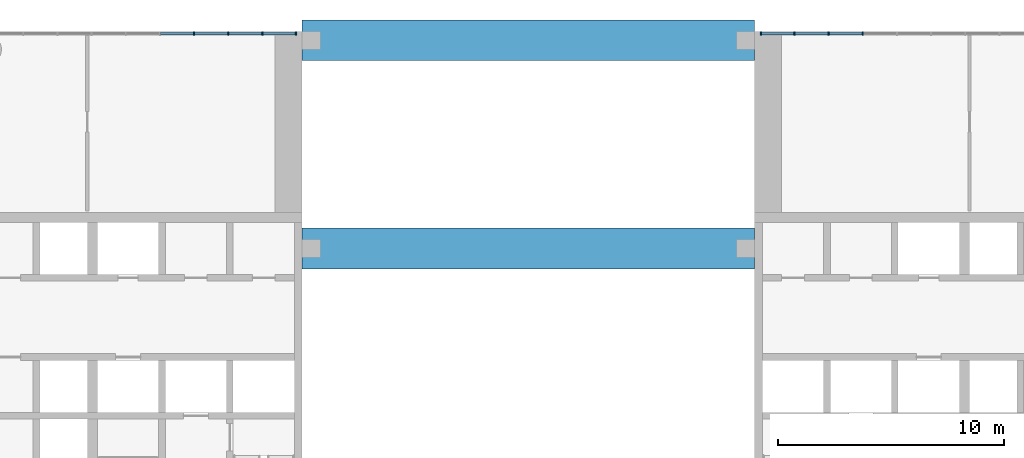
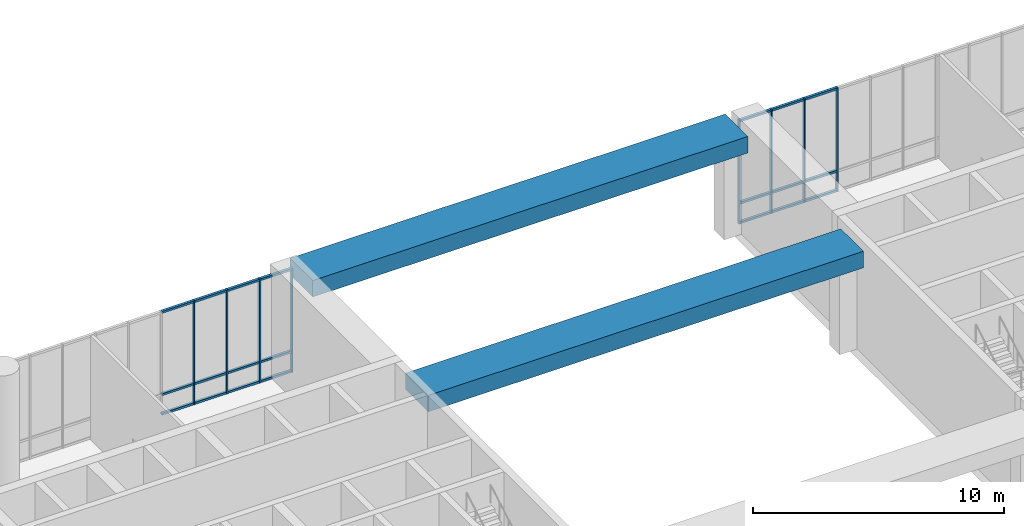
# One storey, part 11 of 30: 29 members, 2 beams, 2 elements without a shape of their own.
"""IFC4 building model written with IfcOpenShell, lengths in metres."""

from ifc_helpers import new_model, si_unit, direction, frame, origin, origin_2d, place, context, subcontext, project, spatial, rectangle, extrude, material, layer, layer_set, material_profile, profile_set, type_object, element, aggregate, save


model = new_model("IFC4")

# Units and contexts
model_context = context("Model", 3, precision=1e-05, world=origin(), true_north=direction((0.0, 1.0)))
body_context = subcontext(model_context, "Body", "Model", "MODEL_VIEW")
ifc_project = project(units=[si_unit("LENGTHUNIT", "METRE"), si_unit("AREAUNIT", "SQUARE_METRE"), si_unit("VOLUMEUNIT", "CUBIC_METRE"), si_unit("PLANEANGLEUNIT", "RADIAN"), si_unit("MASSUNIT", "GRAM", prefix="KILO")], contexts=[model_context])

# Site, building, storey
site_placement = place(None, origin())
site = spatial("IfcSite", under=ifc_project, at=site_placement, CompositionType="ELEMENT")
building_placement = place(site_placement, origin())
building = spatial("IfcBuilding", under=site, at=building_placement, Name="Torana Hotel and Residences", CompositionType="ELEMENT")
storey_placement = place(building_placement, frame((0.0, 0.0, 12.5)))
storey = spatial("IfcBuildingStorey", under=building, at=storey_placement, Name="L02", CompositionType="ELEMENT", Elevation=12.5)

# Beams
ifc_material_1 = material(Name="Concrete C60/75", Category="concrete")
ifc_material_profile_1 = material_profile(ifc_material_1, rectangle(XDim=1.800048828125, YDim=0.800048828125, at=origin_2d()), Name="RC 1800x800")
ifc_profile_set_1 = profile_set([ifc_material_profile_1], Name="Concrete C60/75")
beam_type = type_object("IfcBeamType", Name="ARCH BEAM RC 1800x800 C60/75", PredefinedType="BEAM", material=ifc_profile_set_1)
for number, where, z_axis, x_axis, name in (
    (1, (-10.0, -1.60009765625, 4.64990234375), (1.0, 0.0, 0.0), (0.0, 1.0, 0.0), "Arch beam 4"),
    (2, (-10.0, 7.60009765625, 4.64990234375), (1.0, 0.0, 0.0), (0.0, 1.0, 0.0), "Arch beam 5"),
):
    element("IfcBeam", number, at=place(storey_placement, frame(where, z_axis=z_axis, x_axis=x_axis)), inside=storey, type_object=beam_type, Name=name, PredefinedType="BEAM", context=body_context, shape_type="SweptSolid", body=[
        extrude(rectangle(XDim=1.800048828125, YDim=0.800048828125, at=origin_2d()), origin(), (0.0, 0.0, 1.0), 20.0),
    ])

# Curtain wall, members
ifc_material_2 = material(Name="Dark anodised aluminium", Category="aluminium")
ifc_layer = layer(ifc_material_2, 0.14990234375)
ifc_layer_set = layer_set([ifc_layer], Name="CW5 PODIUM UPPER UNITISED CURTAIN WALL")
curtain_wall_type = type_object("IfcCurtainWallType", Name="CW5 PODIUM UPPER UNITISED CURTAIN WALL", PredefinedType="NOTDEFINED", material=ifc_layer_set)
curtain_wall_1_placement = place(storey_placement, origin())
curtain_wall_1 = element("IfcCurtainWall", 3, at=curtain_wall_1_placement, inside=storey, type_object=curtain_wall_type, Name="Curtain wall CW5 L02 e0.2", PredefinedType="NOTDEFINED")
ifc_material_3 = material(Name="Dark anodised aluminium", Category="aluminium")
ifc_material_profile_2 = material_profile(ifc_material_3, rectangle(XDim=0.14990234375, YDim=0.06005859375, at=origin_2d()), Name="CW5 MULLION 60x150")
ifc_profile_set_2 = profile_set([ifc_material_profile_2], Name="Dark anodised aluminium")
member_type_1 = type_object("IfcMemberType", Name="CW5 MULLION 60x150", PredefinedType="MULLION", material=ifc_profile_set_2)
member_1_placement = place(storey_placement, frame((-10.280029296875, 7.89990234375, 0.0), z_axis=(0.0, 0.0, 1.0), x_axis=(0.0, -1.0, 0.0)))
member_1 = element("IfcMember", 4, at=member_1_placement, type_object=member_type_1, Name="CW5 mullion 1", PredefinedType="MULLION", context=body_context, shape_type="SweptSolid", body=[
    extrude(rectangle(XDim=0.14990234375, YDim=0.06005859375, at=origin_2d()), origin(), (0.0, 0.0, 1.0), 5.050048828125),
])
member_2_placement = place(storey_placement, frame((-11.7607421875, 7.89990234375, 0.0), z_axis=(0.0, 0.0, 1.0), x_axis=(0.0, -1.0, 0.0)))
member_2 = element("IfcMember", 5, at=member_2_placement, type_object=member_type_1, Name="CW5 mullion 2", PredefinedType="MULLION", context=body_context, shape_type="SweptSolid", body=[
    extrude(rectangle(XDim=0.14990234375, YDim=0.06005859375, at=origin_2d()), origin(), (0.0, 0.0, 1.0), 5.050048828125),
])
member_3_placement = place(storey_placement, frame((-13.271484375, 7.89990234375, 0.0), z_axis=(0.0, 0.0, 1.0), x_axis=(0.0, -1.0, 0.0)))
member_3 = element("IfcMember", 6, at=member_3_placement, type_object=member_type_1, Name="CW5 mullion 3", PredefinedType="MULLION", context=body_context, shape_type="SweptSolid", body=[
    extrude(rectangle(XDim=0.14990234375, YDim=0.06005859375, at=origin_2d()), origin(), (0.0, 0.0, 1.0), 5.050048828125),
])
member_4_placement = place(storey_placement, frame((-14.7822265625, 7.89990234375, 0.0), z_axis=(0.0, 0.0, 1.0), x_axis=(0.0, -1.0, 0.0)))
member_4 = element("IfcMember", 7, at=member_4_placement, type_object=member_type_1, Name="CW5 mullion 4", PredefinedType="MULLION", context=body_context, shape_type="SweptSolid", body=[
    extrude(rectangle(XDim=0.14990234375, YDim=0.06005859375, at=origin_2d()), origin(), (0.0, 0.0, 1.0), 5.050048828125),
])

curtain_wall_2_placement = place(storey_placement, origin())
curtain_wall_2 = element("IfcCurtainWall", 8, at=curtain_wall_2_placement, inside=storey, type_object=curtain_wall_type, Name="Curtain wall CW5 L02 e1.10", PredefinedType="NOTDEFINED")
member_5_placement = place(storey_placement, frame((14.7822265625, 7.89990234375, 0.0), z_axis=(0.0, 0.0, 1.0), x_axis=(0.0, -1.0, 0.0)))
member_5 = element("IfcMember", 9, at=member_5_placement, type_object=member_type_1, Name="CW5 mullion 19", PredefinedType="MULLION", context=body_context, shape_type="SweptSolid", body=[
    extrude(rectangle(XDim=0.14990234375, YDim=0.06005859375, at=origin_2d()), origin(), (0.0, 0.0, 1.0), 5.050048828125),
])
member_6_placement = place(storey_placement, frame((13.271484375, 7.89990234375, 0.0), z_axis=(0.0, 0.0, 1.0), x_axis=(0.0, -1.0, 0.0)))
member_6 = element("IfcMember", 10, at=member_6_placement, type_object=member_type_1, Name="CW5 mullion 20", PredefinedType="MULLION", context=body_context, shape_type="SweptSolid", body=[
    extrude(rectangle(XDim=0.14990234375, YDim=0.06005859375, at=origin_2d()), origin(), (0.0, 0.0, 1.0), 5.050048828125),
])
member_7_placement = place(storey_placement, frame((11.7607421875, 7.89990234375, 0.0), z_axis=(0.0, 0.0, 1.0), x_axis=(0.0, -1.0, 0.0)))
member_7 = element("IfcMember", 11, at=member_7_placement, type_object=member_type_1, Name="CW5 mullion 21", PredefinedType="MULLION", context=body_context, shape_type="SweptSolid", body=[
    extrude(rectangle(XDim=0.14990234375, YDim=0.06005859375, at=origin_2d()), origin(), (0.0, 0.0, 1.0), 5.050048828125),
])
member_8_placement = place(storey_placement, frame((10.280029296875, 7.89990234375, 0.0), z_axis=(0.0, 0.0, 1.0), x_axis=(0.0, -1.0, 0.0)))
member_8 = element("IfcMember", 12, at=member_8_placement, type_object=member_type_1, Name="CW5 mullion 22", PredefinedType="MULLION", context=body_context, shape_type="SweptSolid", body=[
    extrude(rectangle(XDim=0.14990234375, YDim=0.06005859375, at=origin_2d()), origin(), (0.0, 0.0, 1.0), 5.050048828125),
])

# Member
ifc_material_4 = material(Name="Dark anodised aluminium", Category="aluminium")
ifc_material_profile_3 = material_profile(ifc_material_4, rectangle(XDim=0.1201171875, YDim=0.10009765625, at=origin_2d()), Name="CW5 TRANSOM 120x100")
ifc_profile_set_3 = profile_set([ifc_material_profile_3], Name="Dark anodised aluminium")
member_type_2 = type_object("IfcMemberType", Name="CW5 TRANSOM 120x100", PredefinedType="USERDEFINED", material=ifc_profile_set_3)
member_9_placement = place(storey_placement, frame((-10.31005859375, 7.89990234375, 0.050048828125), z_axis=(-1.0, 0.0, 0.0), x_axis=(0.0, -1.0, 0.0)))
member_9 = element("IfcMember", 13, at=member_9_placement, type_object=member_type_2, Name="CW5 transom 1.1", ObjectType="TRANSOM", PredefinedType="USERDEFINED", context=body_context, shape_type="SweptSolid", body=[
    extrude(rectangle(XDim=0.1201171875, YDim=0.10009765625, at=origin_2d()), origin(), (0.0, 0.0, 1.0), 1.420654296875),
])

member_10_placement = place(storey_placement, frame((-10.31005859375, 7.89990234375, 1.0), z_axis=(-1.0, 0.0, 0.0), x_axis=(0.0, -1.0, 0.0)))
member_10 = element("IfcMember", 14, at=member_10_placement, type_object=member_type_2, Name="CW5 transom 1.2", ObjectType="TRANSOM", PredefinedType="USERDEFINED", context=body_context, shape_type="SweptSolid", body=[
    extrude(rectangle(XDim=0.1201171875, YDim=0.10009765625, at=origin_2d()), origin(), (0.0, 0.0, 1.0), 1.420654296875),
])

member_11_placement = place(storey_placement, frame((-10.31005859375, 7.89990234375, 5.0), z_axis=(-1.0, 0.0, 0.0), x_axis=(0.0, -1.0, 0.0)))
member_11 = element("IfcMember", 15, at=member_11_placement, type_object=member_type_2, Name="CW5 transom 1.3", ObjectType="TRANSOM", PredefinedType="USERDEFINED", context=body_context, shape_type="SweptSolid", body=[
    extrude(rectangle(XDim=0.1201171875, YDim=0.10009765625, at=origin_2d()), origin(), (0.0, 0.0, 1.0), 1.420654296875),
])

member_12_placement = place(storey_placement, frame((-11.790771484375, 7.89990234375, 0.050048828125), z_axis=(-1.0, 0.0, 0.0), x_axis=(0.0, -1.0, 0.0)))
member_12 = element("IfcMember", 16, at=member_12_placement, type_object=member_type_2, Name="CW5 transom 2.1", ObjectType="TRANSOM", PredefinedType="USERDEFINED", context=body_context, shape_type="SweptSolid", body=[
    extrude(rectangle(XDim=0.1201171875, YDim=0.10009765625, at=origin_2d()), origin(), (0.0, 0.0, 1.0), 1.45068359375),
])

member_13_placement = place(storey_placement, frame((-11.790771484375, 7.89990234375, 1.0), z_axis=(-1.0, 0.0, 0.0), x_axis=(0.0, -1.0, 0.0)))
member_13 = element("IfcMember", 17, at=member_13_placement, type_object=member_type_2, Name="CW5 transom 2.2", ObjectType="TRANSOM", PredefinedType="USERDEFINED", context=body_context, shape_type="SweptSolid", body=[
    extrude(rectangle(XDim=0.1201171875, YDim=0.10009765625, at=origin_2d()), origin(), (0.0, 0.0, 1.0), 1.45068359375),
])

member_14_placement = place(storey_placement, frame((-11.790771484375, 7.89990234375, 5.0), z_axis=(-1.0, 0.0, 0.0), x_axis=(0.0, -1.0, 0.0)))
member_14 = element("IfcMember", 18, at=member_14_placement, type_object=member_type_2, Name="CW5 transom 2.3", ObjectType="TRANSOM", PredefinedType="USERDEFINED", context=body_context, shape_type="SweptSolid", body=[
    extrude(rectangle(XDim=0.1201171875, YDim=0.10009765625, at=origin_2d()), origin(), (0.0, 0.0, 1.0), 1.45068359375),
])

member_15_placement = place(storey_placement, frame((-13.301513671875, 7.89990234375, 0.050048828125), z_axis=(-1.0, 0.0, 0.0), x_axis=(0.0, -1.0, 0.0)))
member_15 = element("IfcMember", 19, at=member_15_placement, type_object=member_type_2, Name="CW5 transom 3.1", ObjectType="TRANSOM", PredefinedType="USERDEFINED", context=body_context, shape_type="SweptSolid", body=[
    extrude(rectangle(XDim=0.1201171875, YDim=0.10009765625, at=origin_2d()), origin(), (0.0, 0.0, 1.0), 1.45068359375),
])

member_16_placement = place(storey_placement, frame((-13.301513671875, 7.89990234375, 1.0), z_axis=(-1.0, 0.0, 0.0), x_axis=(0.0, -1.0, 0.0)))
member_16 = element("IfcMember", 20, at=member_16_placement, type_object=member_type_2, Name="CW5 transom 3.2", ObjectType="TRANSOM", PredefinedType="USERDEFINED", context=body_context, shape_type="SweptSolid", body=[
    extrude(rectangle(XDim=0.1201171875, YDim=0.10009765625, at=origin_2d()), origin(), (0.0, 0.0, 1.0), 1.45068359375),
])

member_17_placement = place(storey_placement, frame((-13.301513671875, 7.89990234375, 5.0), z_axis=(-1.0, 0.0, 0.0), x_axis=(0.0, -1.0, 0.0)))
member_17 = element("IfcMember", 21, at=member_17_placement, type_object=member_type_2, Name="CW5 transom 3.3", ObjectType="TRANSOM", PredefinedType="USERDEFINED", context=body_context, shape_type="SweptSolid", body=[
    extrude(rectangle(XDim=0.1201171875, YDim=0.10009765625, at=origin_2d()), origin(), (0.0, 0.0, 1.0), 1.45068359375),
])

member_18_placement = place(storey_placement, frame((-14.812255859375, 7.89990234375, 0.050048828125), z_axis=(-1.0, 0.0, 0.0), x_axis=(0.0, -1.0, 0.0)))
member_18 = element("IfcMember", 22, at=member_18_placement, type_object=member_type_2, Name="CW5 transom 4.1", ObjectType="TRANSOM", PredefinedType="USERDEFINED", context=body_context, shape_type="SweptSolid", body=[
    extrude(rectangle(XDim=0.1201171875, YDim=0.10009765625, at=origin_2d()), origin(), (0.0, 0.0, 1.0), 1.45068359375),
])

member_19_placement = place(storey_placement, frame((-14.812255859375, 7.89990234375, 1.0), z_axis=(-1.0, 0.0, 0.0), x_axis=(0.0, -1.0, 0.0)))
member_19 = element("IfcMember", 23, at=member_19_placement, type_object=member_type_2, Name="CW5 transom 4.2", ObjectType="TRANSOM", PredefinedType="USERDEFINED", context=body_context, shape_type="SweptSolid", body=[
    extrude(rectangle(XDim=0.1201171875, YDim=0.10009765625, at=origin_2d()), origin(), (0.0, 0.0, 1.0), 1.45068359375),
])

member_20_placement = place(storey_placement, frame((-14.812255859375, 7.89990234375, 5.0), z_axis=(-1.0, 0.0, 0.0), x_axis=(0.0, -1.0, 0.0)))
member_20 = element("IfcMember", 24, at=member_20_placement, type_object=member_type_2, Name="CW5 transom 4.3", ObjectType="TRANSOM", PredefinedType="USERDEFINED", context=body_context, shape_type="SweptSolid", body=[
    extrude(rectangle(XDim=0.1201171875, YDim=0.10009765625, at=origin_2d()), origin(), (0.0, 0.0, 1.0), 1.45068359375),
])

aggregate(curtain_wall_1, [member_1, member_2, member_3, member_4, member_9, member_10, member_11, member_12, member_13, member_14, member_15, member_16, member_17, member_18, member_19, member_20])

member_21_placement = place(storey_placement, frame((14.752197265625, 7.89990234375, 0.050048828125), z_axis=(-1.0, 0.0, 0.0), x_axis=(0.0, -1.0, 0.0)))
member_21 = element("IfcMember", 25, at=member_21_placement, type_object=member_type_2, Name="CW5 transom 19.1", ObjectType="TRANSOM", PredefinedType="USERDEFINED", context=body_context, shape_type="SweptSolid", body=[
    extrude(rectangle(XDim=0.1201171875, YDim=0.10009765625, at=origin_2d()), origin(), (0.0, 0.0, 1.0), 1.45068359375),
])

member_22_placement = place(storey_placement, frame((14.752197265625, 7.89990234375, 1.0), z_axis=(-1.0, 0.0, 0.0), x_axis=(0.0, -1.0, 0.0)))
member_22 = element("IfcMember", 26, at=member_22_placement, type_object=member_type_2, Name="CW5 transom 19.2", ObjectType="TRANSOM", PredefinedType="USERDEFINED", context=body_context, shape_type="SweptSolid", body=[
    extrude(rectangle(XDim=0.1201171875, YDim=0.10009765625, at=origin_2d()), origin(), (0.0, 0.0, 1.0), 1.45068359375),
])

member_23_placement = place(storey_placement, frame((14.752197265625, 7.89990234375, 5.0), z_axis=(-1.0, 0.0, 0.0), x_axis=(0.0, -1.0, 0.0)))
member_23 = element("IfcMember", 27, at=member_23_placement, type_object=member_type_2, Name="CW5 transom 19.3", ObjectType="TRANSOM", PredefinedType="USERDEFINED", context=body_context, shape_type="SweptSolid", body=[
    extrude(rectangle(XDim=0.1201171875, YDim=0.10009765625, at=origin_2d()), origin(), (0.0, 0.0, 1.0), 1.45068359375),
])

member_24_placement = place(storey_placement, frame((13.241455078125, 7.89990234375, 0.050048828125), z_axis=(-1.0, 0.0, 0.0), x_axis=(0.0, -1.0, 0.0)))
member_24 = element("IfcMember", 28, at=member_24_placement, type_object=member_type_2, Name="CW5 transom 20.1", ObjectType="TRANSOM", PredefinedType="USERDEFINED", context=body_context, shape_type="SweptSolid", body=[
    extrude(rectangle(XDim=0.1201171875, YDim=0.10009765625, at=origin_2d()), origin(), (0.0, 0.0, 1.0), 1.45068359375),
])

member_25_placement = place(storey_placement, frame((13.241455078125, 7.89990234375, 1.0), z_axis=(-1.0, 0.0, 0.0), x_axis=(0.0, -1.0, 0.0)))
member_25 = element("IfcMember", 29, at=member_25_placement, type_object=member_type_2, Name="CW5 transom 20.2", ObjectType="TRANSOM", PredefinedType="USERDEFINED", context=body_context, shape_type="SweptSolid", body=[
    extrude(rectangle(XDim=0.1201171875, YDim=0.10009765625, at=origin_2d()), origin(), (0.0, 0.0, 1.0), 1.45068359375),
])

member_26_placement = place(storey_placement, frame((13.241455078125, 7.89990234375, 5.0), z_axis=(-1.0, 0.0, 0.0), x_axis=(0.0, -1.0, 0.0)))
member_26 = element("IfcMember", 30, at=member_26_placement, type_object=member_type_2, Name="CW5 transom 20.3", ObjectType="TRANSOM", PredefinedType="USERDEFINED", context=body_context, shape_type="SweptSolid", body=[
    extrude(rectangle(XDim=0.1201171875, YDim=0.10009765625, at=origin_2d()), origin(), (0.0, 0.0, 1.0), 1.45068359375),
])

member_27_placement = place(storey_placement, frame((11.730712890625, 7.89990234375, 0.050048828125), z_axis=(-1.0, 0.0, 0.0), x_axis=(0.0, -1.0, 0.0)))
member_27 = element("IfcMember", 31, at=member_27_placement, type_object=member_type_2, Name="CW5 transom 21.1", ObjectType="TRANSOM", PredefinedType="USERDEFINED", context=body_context, shape_type="SweptSolid", body=[
    extrude(rectangle(XDim=0.1201171875, YDim=0.10009765625, at=origin_2d()), origin(), (0.0, 0.0, 1.0), 1.420654296875),
])

member_28_placement = place(storey_placement, frame((11.730712890625, 7.89990234375, 1.0), z_axis=(-1.0, 0.0, 0.0), x_axis=(0.0, -1.0, 0.0)))
member_28 = element("IfcMember", 32, at=member_28_placement, type_object=member_type_2, Name="CW5 transom 21.2", ObjectType="TRANSOM", PredefinedType="USERDEFINED", context=body_context, shape_type="SweptSolid", body=[
    extrude(rectangle(XDim=0.1201171875, YDim=0.10009765625, at=origin_2d()), origin(), (0.0, 0.0, 1.0), 1.420654296875),
])

member_29_placement = place(storey_placement, frame((11.730712890625, 7.89990234375, 5.0), z_axis=(-1.0, 0.0, 0.0), x_axis=(0.0, -1.0, 0.0)))
member_29 = element("IfcMember", 33, at=member_29_placement, type_object=member_type_2, Name="CW5 transom 21.3", ObjectType="TRANSOM", PredefinedType="USERDEFINED", context=body_context, shape_type="SweptSolid", body=[
    extrude(rectangle(XDim=0.1201171875, YDim=0.10009765625, at=origin_2d()), origin(), (0.0, 0.0, 1.0), 1.420654296875),
])

aggregate(curtain_wall_2, [member_5, member_6, member_7, member_8, member_21, member_22, member_23, member_24, member_25, member_26, member_27, member_28, member_29])

save(model, "model.ifc")
